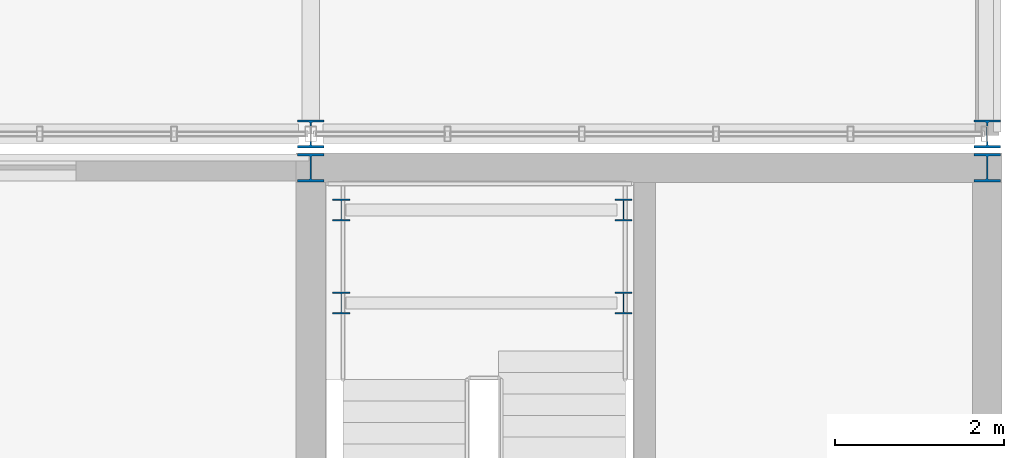
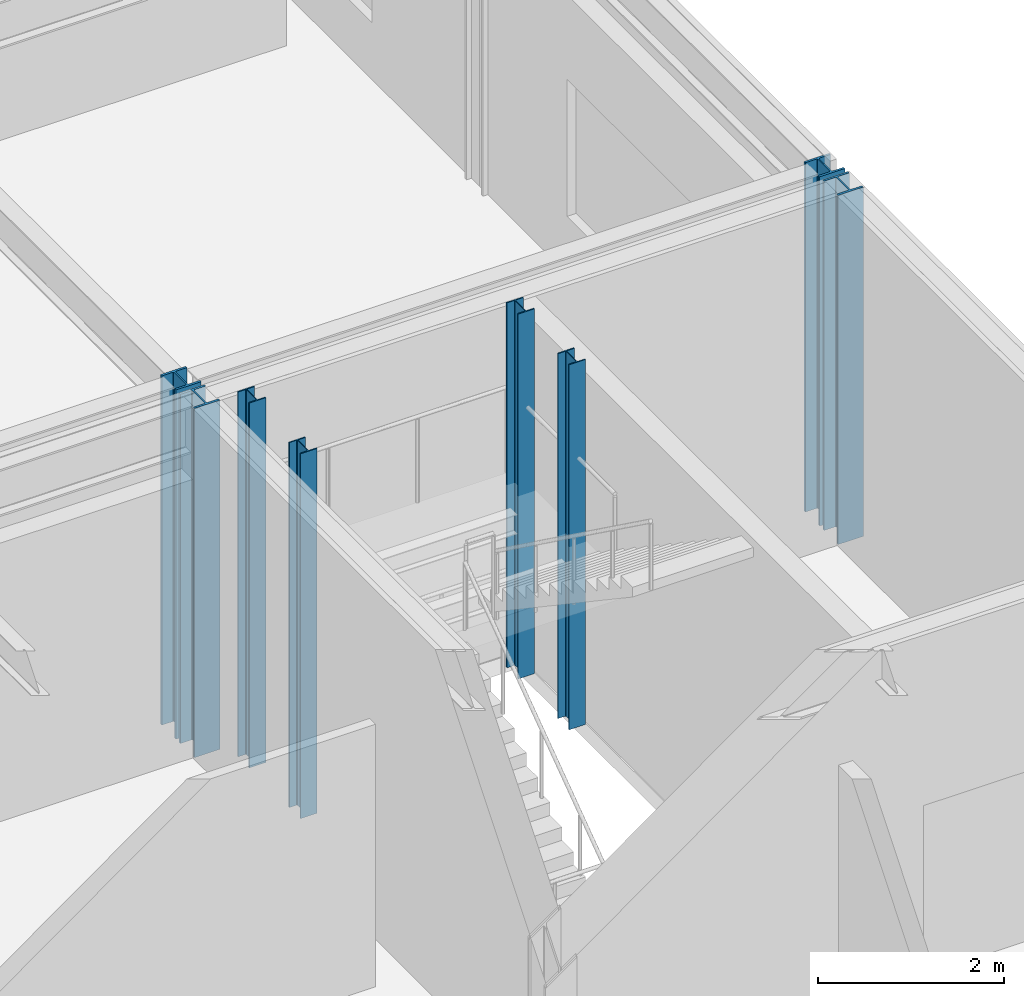
# One storey, part 18 of 104: 8 columns.
"""IFC4 building model written with IfcOpenShell, lengths in metres."""

from ifc_helpers import new_model, si_unit, direction, frame, origin, origin_2d, place, context, subcontext, project, spatial, i_section, extrude, material, material_profile, profile_set, type_object, element, save


model = new_model("IFC4")

# Units and contexts
model_context = context("Model", 3, precision=1e-05, world=origin(), true_north=direction((0.0, 1.0)))
body_context = subcontext(model_context, "Body", "Model", "MODEL_VIEW")
ifc_project = project(units=[si_unit("LENGTHUNIT", "METRE"), si_unit("AREAUNIT", "SQUARE_METRE"), si_unit("VOLUMEUNIT", "CUBIC_METRE"), si_unit("PLANEANGLEUNIT", "RADIAN"), si_unit("MASSUNIT", "GRAM", prefix="KILO")], contexts=[model_context])

# Site, building, storey
site_placement = place(None, origin())
site = spatial("IfcSite", under=ifc_project, at=site_placement, CompositionType="ELEMENT")
building_placement = place(site_placement, origin())
building = spatial("IfcBuilding", under=site, at=building_placement, Name="Zulena Civic Courthouse", CompositionType="ELEMENT")
storey_placement = place(building_placement, frame((0.0, 0.0, 10.800048828125)))
storey = spatial("IfcBuildingStorey", under=building, at=storey_placement, Name="L02", CompositionType="ELEMENT", Elevation=10.800048828125)

# Columns
ifc_material = material(Name="Steel ASTM A992 Grade 50", Category="steel")
ifc_material_profile_1 = material_profile(ifc_material, i_section(OverallWidth=0.2041015625, OverallDepth=0.257080078125, WebThickness=0.0087890625, FlangeThickness=0.015625, FilletRadius=0.0126953125, at=origin_2d()), Name="W10X45")
ifc_profile_set_1 = profile_set([ifc_material_profile_1], Name="Steel ASTM A992 Grade 50")
column_type_1 = type_object("IfcColumnType", Name="Col_W10X45", PredefinedType="COLUMN", material=ifc_profile_set_1)
for number, where, z_axis, x_axis, name in (
    (1, (164.360107421875, 28.800048828125, 0.0), (0.0, 0.0, 1.0), (1.0, 0.0, 0.0), "col:lnd:K1B:L02:0:0"),
    (2, (167.699951171875, 28.800048828125, 0.0), (0.0, 0.0, 1.0), (1.0, 0.0, 0.0), "col:lnd:K1B:L02:0:1"),
    (3, (164.360107421875, 29.89990234375, 0.0), (0.0, 0.0, 1.0), (1.0, 0.0, 0.0), "col:lnd:K1B:L02:1:0"),
    (4, (167.699951171875, 29.89990234375, 0.0), (0.0, 0.0, 1.0), (1.0, 0.0, 0.0), "col:lnd:K1B:L02:1:1"),
):
    element("IfcColumn", number, at=place(storey_placement, frame(where, z_axis=z_axis, x_axis=x_axis)), inside=storey, type_object=column_type_1, Name=name, PredefinedType="COLUMN", context=body_context, shape_type="SweptSolid", body=[
        extrude(i_section(OverallWidth=0.2041015625, OverallDepth=0.257080078125, WebThickness=0.0087890625, FlangeThickness=0.015625, FilletRadius=0.0126953125, at=origin_2d()), origin(), (0.0, 0.0, 1.0), 4.794921875),
    ])
ifc_material_profile_2 = material_profile(ifc_material, i_section(OverallWidth=0.31298828125, OverallDepth=0.3330078125, WebThickness=0.01806640625, FlangeThickness=0.0283203125, FilletRadius=0.01513671875, at=origin_2d()), Name="W12X120")
ifc_profile_set_2 = profile_set([ifc_material_profile_2], Name="Steel ASTM A992 Grade 50")
column_type_2 = type_object("IfcColumnType", Name="Col_W12X120", PredefinedType="COLUMN", material=ifc_profile_set_2)
for number, where, z_axis, x_axis, name in (
    (5, (164.0, 30.39990234375, 0.0), (0.0, 0.0, 1.0), (1.0, 0.0, 0.0), "col:V1:L02:164.0:30.4"),
    (6, (172.0, 30.39990234375, 0.0), (0.0, 0.0, 1.0), (1.0, 0.0, 0.0), "col:V1:L02:172.0:30.4"),
    (7, (164.0, 30.800048828125, 0.0), (0.0, 0.0, 1.0), (1.0, 0.0, 0.0), "col:V3:L02:164.0:30.8"),
    (8, (172.0, 30.800048828125, 0.0), (0.0, 0.0, 1.0), (1.0, 0.0, 0.0), "col:V3:L02:172.0:30.8"),
):
    element("IfcColumn", number, at=place(storey_placement, frame(where, z_axis=z_axis, x_axis=x_axis)), inside=storey, type_object=column_type_2, Name=name, PredefinedType="COLUMN", context=body_context, shape_type="SweptSolid", body=[
        extrude(i_section(OverallWidth=0.31298828125, OverallDepth=0.3330078125, WebThickness=0.01806640625, FlangeThickness=0.0283203125, FilletRadius=0.01513671875, at=origin_2d()), origin(), (0.0, 0.0, 1.0), 4.58984375),
    ])

save(model, "model.ifc")
